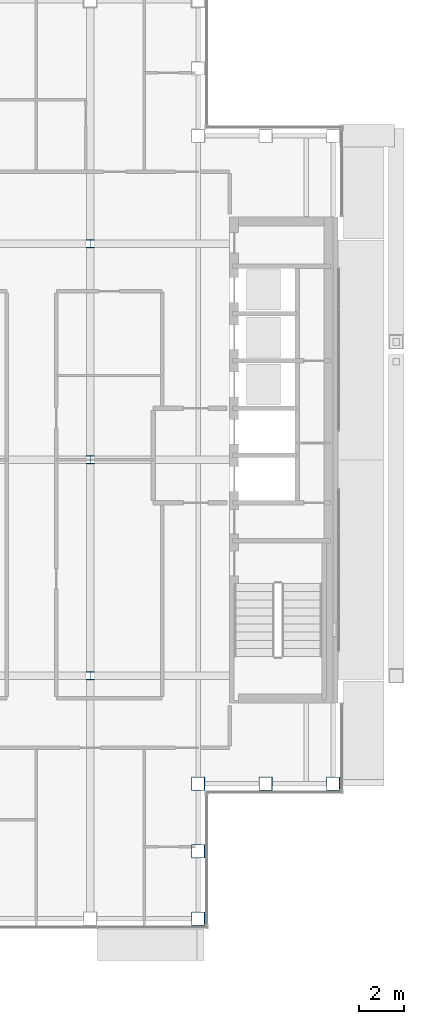
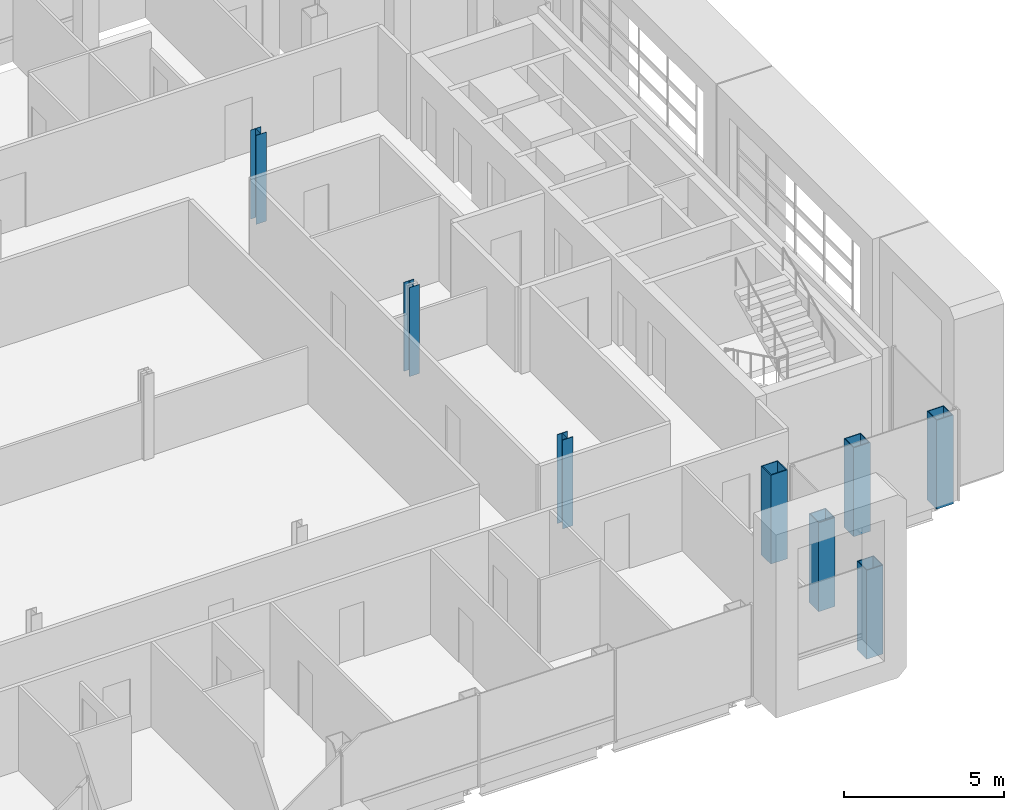
# One storey, part 2 of 23: 8 columns.
"""IFC4 building model written with IfcOpenShell, lengths in metres."""

from ifc_helpers import new_model, si_unit, direction, frame, origin, origin_2d, place, context, subcontext, project, spatial, hollow_rectangle, i_section, extrude, material, material_profile, profile_set, type_object, element, save


model = new_model("IFC4")

# Units and contexts
model_context = context("Model", 3, precision=1e-05, world=origin(), true_north=direction((0.0, 1.0)))
body_context = subcontext(model_context, "Body", "Model", "MODEL_VIEW")
ifc_project = project(units=[si_unit("LENGTHUNIT", "METRE"), si_unit("AREAUNIT", "SQUARE_METRE"), si_unit("VOLUMEUNIT", "CUBIC_METRE"), si_unit("PLANEANGLEUNIT", "RADIAN"), si_unit("MASSUNIT", "GRAM", prefix="KILO")], contexts=[model_context])

# Site, building, storey
site_placement = place(None, origin())
site = spatial("IfcSite", under=ifc_project, at=site_placement, CompositionType="ELEMENT")
building_placement = place(site_placement, origin())
building = spatial("IfcBuilding", under=site, at=building_placement, Name="Cobrizo Arcos Hotel Tower", CompositionType="ELEMENT")
storey_placement = place(building_placement, frame((0.0, 0.0, 262.0)))
storey = spatial("IfcBuildingStorey", under=building, at=storey_placement, Name="L69", CompositionType="ELEMENT", Elevation=262.0)

# Columns
ifc_material_1 = material(Name="Steel ASTM A572 Grade 50", Category="steel")
ifc_material_profile_1 = material_profile(ifc_material_1, hollow_rectangle(XDim=0.60009765625, YDim=0.60009765625, WallThickness=0.030029296875, at=origin_2d()), Name="BOX 600X600X30")
ifc_profile_set_1 = profile_set([ifc_material_profile_1], Name="Steel ASTM A572 Grade 50")
column_type_1 = type_object("IfcColumnType", Name="BOX 600X600X30 column", PredefinedType="COLUMN", material=ifc_profile_set_1)
for number, where, z_axis, x_axis, name in (
    (1, (14.39990234375, -20.39990234375, -0.14990234375), (0.0, 0.0, 1.0), (1.0, 0.0, 0.0), "Perimeter column C12, L69, no. 13"),
    (2, (20.39990234375, -14.39990234375, -0.14990234375), (0.0, 0.0, 1.0), (1.0, 0.0, 0.0), "Perimeter column C12, L69, no. 14"),
    (3, (14.39990234375, -14.39990234375, -0.14990234375), (0.0, 0.0, 1.0), (1.0, 0.0, 0.0), "Perimeter column C12, L69, no. 24"),
    (4, (14.39990234375, -17.39990234375, -0.14990234375), (0.0, 0.0, 1.0), (1.0, 0.0, 0.0), "Perimeter column C12, L69, no. 25"),
    (5, (17.39990234375, -14.39990234375, -0.14990234375), (0.0, 0.0, 1.0), (1.0, 0.0, 0.0), "Perimeter column C12, L69, no. 26"),
):
    element("IfcColumn", number, at=place(storey_placement, frame(where, z_axis=z_axis, x_axis=x_axis)), inside=storey, type_object=column_type_1, Name=name, PredefinedType="COLUMN", context=body_context, shape_type="SweptSolid", body=[
        extrude(hollow_rectangle(XDim=0.60009765625, YDim=0.60009765625, WallThickness=0.030029296875, at=origin_2d()), origin(), (0.0, 0.0, 1.0), 3.39990234375),
    ])
ifc_material_2 = material(Name="Steel ASTM A992 Grade 50", Category="steel")
ifc_material_profile_2 = material_profile(ifc_material_2, i_section(OverallWidth=0.368408203125, OverallDepth=0.355712890625, WebThickness=0.01123046875, FlangeThickness=0.01806640625, at=origin_2d()), Name="W14X90")
ifc_profile_set_2 = profile_set([ifc_material_profile_2], Name="Steel ASTM A992 Grade 50")
column_type_2 = type_object("IfcColumnType", Name="W14X90 interior column", PredefinedType="COLUMN", material=ifc_profile_set_2)
for number, where, z_axis, x_axis, name in (
    (6, (9.60009765625, -9.60009765625, -0.14990234375), (0.0, 0.0, 1.0), (1.0, 0.0, 0.0), "Interior column C13, L69, no. 06"),
    (7, (9.60009765625, 0.0, -0.14990234375), (0.0, 0.0, 1.0), (1.0, 0.0, 0.0), "Interior column C13, L69, no. 07"),
    (8, (9.60009765625, 9.60009765625, -0.14990234375), (0.0, 0.0, 1.0), (1.0, 0.0, 0.0), "Interior column C13, L69, no. 08"),
):
    element("IfcColumn", number, at=place(storey_placement, frame(where, z_axis=z_axis, x_axis=x_axis)), inside=storey, type_object=column_type_2, Name=name, PredefinedType="COLUMN", context=body_context, shape_type="SweptSolid", body=[
        extrude(i_section(OverallWidth=0.368408203125, OverallDepth=0.355712890625, WebThickness=0.01123046875, FlangeThickness=0.01806640625, at=origin_2d()), origin(), (0.0, 0.0, 1.0), 3.39990234375),
    ])

save(model, "model.ifc")
